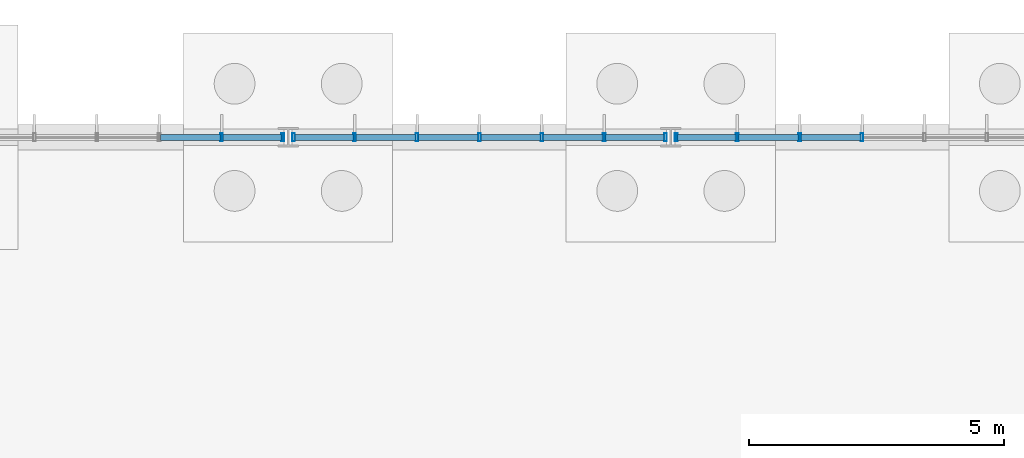
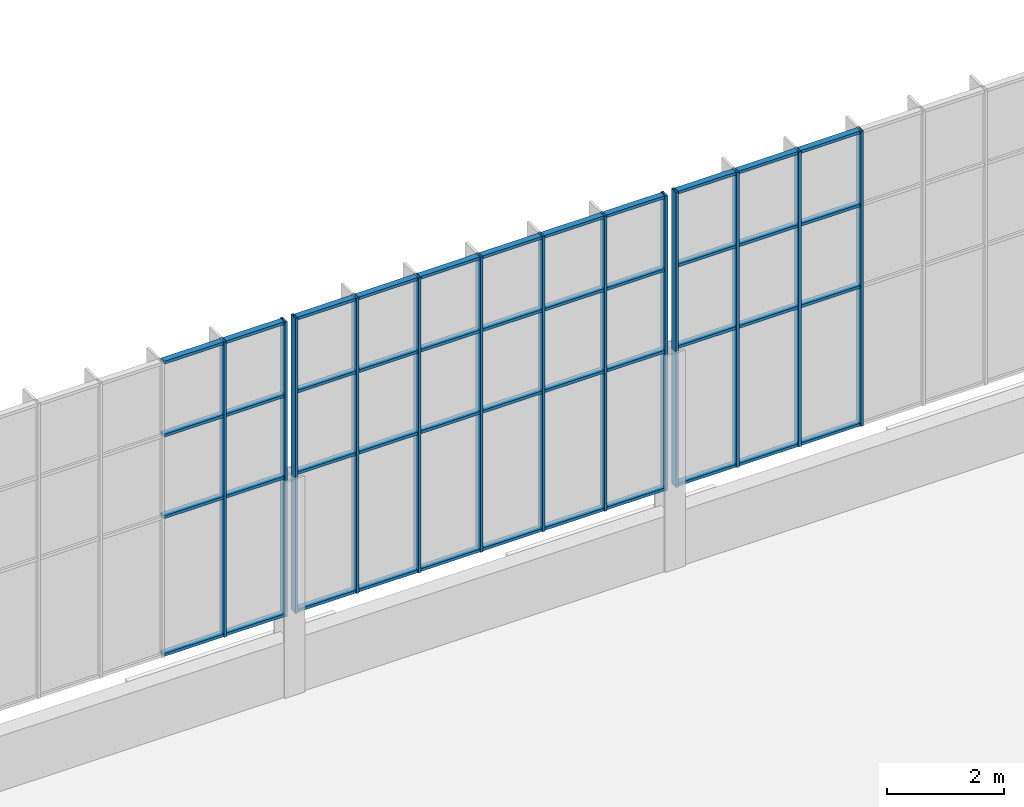
# One storey, part 67 of 136: 57 members, 3 elements without a shape of their own.
"""IFC4 building model written with IfcOpenShell, lengths in metres."""

from ifc_helpers import new_model, si_unit, direction, frame, origin, origin_2d, place, context, subcontext, project, spatial, hollow_rectangle, extrude, material, layer, layer_set, material_profile, profile_set, type_object, element, aggregate, save


model = new_model("IFC4")

# Units and contexts
model_context = context("Model", 3, precision=1e-05, world=origin(), true_north=direction((0.0, 1.0)))
body_context = subcontext(model_context, "Body", "Model", "MODEL_VIEW")
ifc_project = project(units=[si_unit("LENGTHUNIT", "METRE"), si_unit("AREAUNIT", "SQUARE_METRE"), si_unit("VOLUMEUNIT", "CUBIC_METRE"), si_unit("PLANEANGLEUNIT", "RADIAN"), si_unit("MASSUNIT", "GRAM", prefix="KILO")], contexts=[model_context])

# Site, building, storey
site_placement = place(None, origin())
site = spatial("IfcSite", under=ifc_project, at=site_placement, CompositionType="ELEMENT")
building_placement = place(site_placement, origin())
building = spatial("IfcBuilding", under=site, at=building_placement, Name="Solvenia Promenade Tram Depot", CompositionType="ELEMENT")
storey_placement = place(building_placement, origin())
storey = spatial("IfcBuildingStorey", under=building, at=storey_placement, Name="L00", CompositionType="ELEMENT", Elevation=0.0)

# Curtain wall, members
ifc_material = material(Name="Anodized aluminium AW-6063 T6", Category="aluminium")
ifc_layer = layer(ifc_material, 0.159912109375, Name="Anodized aluminium AW-6063 T6", Category="aluminium")
ifc_layer_set = layer_set([ifc_layer], Name="Anodized aluminium AW-6063 T6")
curtain_wall_type = type_object("IfcCurtainWallType", Name="CW-Channel-1200", PredefinedType="NOTDEFINED", material=ifc_layer_set)
curtain_wall_1_placement = place(storey_placement, origin())
curtain_wall_1 = element("IfcCurtainWall", 1, at=curtain_wall_1_placement, inside=storey, type_object=curtain_wall_type, Name="North Translucent Channel-Glass Wall 13", PredefinedType="NOTDEFINED")
ifc_material_profile_1 = material_profile(ifc_material, hollow_rectangle(XDim=0.159912109375, YDim=0.052001953125, WallThickness=0.00390625, at=origin_2d()), Name="ALU-M1", Category="aluminium")
ifc_profile_set_1 = profile_set([ifc_material_profile_1], Name="Anodized aluminium AW-6063 T6")
member_type_1 = type_object("IfcMemberType", Name="CWM-Mullion-1", PredefinedType="MULLION", material=ifc_profile_set_1)
member_1_placement = place(storey_placement, frame((96.19677734375, 126.0, 1.60009765625), z_axis=(0.0, 0.0, 1.0), x_axis=(0.0, 1.0, 0.0)))
member_1 = element("IfcMember", 2, at=member_1_placement, type_object=member_type_1, Name="CW-1 mullion 6", PredefinedType="MULLION", context=body_context, shape_type="SweptSolid", body=[
    extrude(hollow_rectangle(XDim=0.159912109375, YDim=0.052001953125, WallThickness=0.00390625, at=origin_2d()), origin(), (0.0, 0.0, 1.0), 6.14990234375),
])
member_2_placement = place(storey_placement, frame((97.39404296875, 126.0, 1.60009765625), z_axis=(0.0, 0.0, 1.0), x_axis=(0.0, 1.0, 0.0)))
member_2 = element("IfcMember", 3, at=member_2_placement, type_object=member_type_1, Name="CW-1 mullion 7", PredefinedType="MULLION", context=body_context, shape_type="SweptSolid", body=[
    extrude(hollow_rectangle(XDim=0.159912109375, YDim=0.052001953125, WallThickness=0.00390625, at=origin_2d()), origin(), (0.0, 0.0, 1.0), 6.14990234375),
])

curtain_wall_2_placement = place(storey_placement, origin())
curtain_wall_2 = element("IfcCurtainWall", 4, at=curtain_wall_2_placement, inside=storey, type_object=curtain_wall_type, Name="North Translucent Channel-Glass Wall 14", PredefinedType="NOTDEFINED")
member_3_placement = place(storey_placement, frame((97.60595703125, 126.0, 1.60009765625), z_axis=(0.0, 0.0, 1.0), x_axis=(0.0, 1.0, 0.0)))
member_3 = element("IfcMember", 5, at=member_3_placement, type_object=member_type_1, Name="CW-1 mullion 1", PredefinedType="MULLION", context=body_context, shape_type="SweptSolid", body=[
    extrude(hollow_rectangle(XDim=0.159912109375, YDim=0.052001953125, WallThickness=0.00390625, at=origin_2d()), origin(), (0.0, 0.0, 1.0), 6.14990234375),
])
member_4_placement = place(storey_placement, frame((98.80322265625, 126.0, 1.60009765625), z_axis=(0.0, 0.0, 1.0), x_axis=(0.0, 1.0, 0.0)))
member_4 = element("IfcMember", 6, at=member_4_placement, type_object=member_type_1, Name="CW-1 mullion 2", PredefinedType="MULLION", context=body_context, shape_type="SweptSolid", body=[
    extrude(hollow_rectangle(XDim=0.159912109375, YDim=0.052001953125, WallThickness=0.00390625, at=origin_2d()), origin(), (0.0, 0.0, 1.0), 6.14990234375),
])
member_5_placement = place(storey_placement, frame((100.026611328125, 126.0, 1.60009765625), z_axis=(0.0, 0.0, 1.0), x_axis=(0.0, 1.0, 0.0)))
member_5 = element("IfcMember", 7, at=member_5_placement, type_object=member_type_1, Name="CW-1 mullion 3", PredefinedType="MULLION", context=body_context, shape_type="SweptSolid", body=[
    extrude(hollow_rectangle(XDim=0.159912109375, YDim=0.052001953125, WallThickness=0.00390625, at=origin_2d()), origin(), (0.0, 0.0, 1.0), 6.14990234375),
])
member_6_placement = place(storey_placement, frame((101.25, 126.0, 1.60009765625), z_axis=(0.0, 0.0, 1.0), x_axis=(0.0, 1.0, 0.0)))
member_6 = element("IfcMember", 8, at=member_6_placement, type_object=member_type_1, Name="CW-1 mullion 4", PredefinedType="MULLION", context=body_context, shape_type="SweptSolid", body=[
    extrude(hollow_rectangle(XDim=0.159912109375, YDim=0.052001953125, WallThickness=0.00390625, at=origin_2d()), origin(), (0.0, 0.0, 1.0), 6.14990234375),
])
member_7_placement = place(storey_placement, frame((102.473388671875, 126.0, 1.60009765625), z_axis=(0.0, 0.0, 1.0), x_axis=(0.0, 1.0, 0.0)))
member_7 = element("IfcMember", 9, at=member_7_placement, type_object=member_type_1, Name="CW-1 mullion 5", PredefinedType="MULLION", context=body_context, shape_type="SweptSolid", body=[
    extrude(hollow_rectangle(XDim=0.159912109375, YDim=0.052001953125, WallThickness=0.00390625, at=origin_2d()), origin(), (0.0, 0.0, 1.0), 6.14990234375),
])
member_8_placement = place(storey_placement, frame((103.69677734375, 126.0, 1.60009765625), z_axis=(0.0, 0.0, 1.0), x_axis=(0.0, 1.0, 0.0)))
member_8 = element("IfcMember", 10, at=member_8_placement, type_object=member_type_1, Name="CW-1 mullion 6", PredefinedType="MULLION", context=body_context, shape_type="SweptSolid", body=[
    extrude(hollow_rectangle(XDim=0.159912109375, YDim=0.052001953125, WallThickness=0.00390625, at=origin_2d()), origin(), (0.0, 0.0, 1.0), 6.14990234375),
])
member_9_placement = place(storey_placement, frame((104.89404296875, 126.0, 1.60009765625), z_axis=(0.0, 0.0, 1.0), x_axis=(0.0, 1.0, 0.0)))
member_9 = element("IfcMember", 11, at=member_9_placement, type_object=member_type_1, Name="CW-1 mullion 7", PredefinedType="MULLION", context=body_context, shape_type="SweptSolid", body=[
    extrude(hollow_rectangle(XDim=0.159912109375, YDim=0.052001953125, WallThickness=0.00390625, at=origin_2d()), origin(), (0.0, 0.0, 1.0), 6.14990234375),
])

curtain_wall_3_placement = place(storey_placement, origin())
curtain_wall_3 = element("IfcCurtainWall", 12, at=curtain_wall_3_placement, inside=storey, type_object=curtain_wall_type, Name="North Translucent Channel-Glass Wall 15", PredefinedType="NOTDEFINED")
member_10_placement = place(storey_placement, frame((105.10595703125, 126.0, 1.60009765625), z_axis=(0.0, 0.0, 1.0), x_axis=(0.0, 1.0, 0.0)))
member_10 = element("IfcMember", 13, at=member_10_placement, type_object=member_type_1, Name="CW-1 mullion 1", PredefinedType="MULLION", context=body_context, shape_type="SweptSolid", body=[
    extrude(hollow_rectangle(XDim=0.159912109375, YDim=0.052001953125, WallThickness=0.00390625, at=origin_2d()), origin(), (0.0, 0.0, 1.0), 6.14990234375),
])
member_11_placement = place(storey_placement, frame((106.30322265625, 126.0, 1.60009765625), z_axis=(0.0, 0.0, 1.0), x_axis=(0.0, 1.0, 0.0)))
member_11 = element("IfcMember", 14, at=member_11_placement, type_object=member_type_1, Name="CW-1 mullion 2", PredefinedType="MULLION", context=body_context, shape_type="SweptSolid", body=[
    extrude(hollow_rectangle(XDim=0.159912109375, YDim=0.052001953125, WallThickness=0.00390625, at=origin_2d()), origin(), (0.0, 0.0, 1.0), 6.14990234375),
])
member_12_placement = place(storey_placement, frame((107.526611328125, 126.0, 1.60009765625), z_axis=(0.0, 0.0, 1.0), x_axis=(0.0, 1.0, 0.0)))
member_12 = element("IfcMember", 15, at=member_12_placement, type_object=member_type_1, Name="CW-1 mullion 3", PredefinedType="MULLION", context=body_context, shape_type="SweptSolid", body=[
    extrude(hollow_rectangle(XDim=0.159912109375, YDim=0.052001953125, WallThickness=0.00390625, at=origin_2d()), origin(), (0.0, 0.0, 1.0), 6.14990234375),
])
member_13_placement = place(storey_placement, frame((108.75, 126.0, 1.60009765625), z_axis=(0.0, 0.0, 1.0), x_axis=(0.0, 1.0, 0.0)))
member_13 = element("IfcMember", 16, at=member_13_placement, type_object=member_type_1, Name="CW-1 mullion 4", PredefinedType="MULLION", context=body_context, shape_type="SweptSolid", body=[
    extrude(hollow_rectangle(XDim=0.159912109375, YDim=0.052001953125, WallThickness=0.00390625, at=origin_2d()), origin(), (0.0, 0.0, 1.0), 6.14990234375),
])

# Member
ifc_material_profile_2 = material_profile(ifc_material, hollow_rectangle(XDim=0.1201171875, YDim=0.06005859375, WallThickness=0.00390625, at=origin_2d()), Name="ALU-T1", Category="aluminium")
ifc_profile_set_2 = profile_set([ifc_material_profile_2], Name="Anodized aluminium AW-6063 T6")
member_type_2 = type_object("IfcMemberType", Name="CWT-Transom-1", PredefinedType="USERDEFINED", material=ifc_profile_set_2)
member_14_placement = place(storey_placement, frame((94.999267578125, 126.0, 1.6298828125), z_axis=(1.0, 0.0, 0.0), x_axis=(0.0, 1.0, 0.0)))
member_14 = element("IfcMember", 17, at=member_14_placement, type_object=member_type_2, Name="CW-1 transom 5.1", ObjectType="TRANSOM", PredefinedType="USERDEFINED", context=body_context, shape_type="SweptSolid", body=[
    extrude(hollow_rectangle(XDim=0.1201171875, YDim=0.06005859375, WallThickness=0.00390625, at=origin_2d()), origin(), (0.0, 0.0, 1.0), 1.17138671875),
])

member_15_placement = place(storey_placement, frame((94.999267578125, 126.0, 4.5), z_axis=(1.0, 0.0, 0.0), x_axis=(0.0, 1.0, 0.0)))
member_15 = element("IfcMember", 18, at=member_15_placement, type_object=member_type_2, Name="CW-1 transom 5.2", ObjectType="TRANSOM", PredefinedType="USERDEFINED", context=body_context, shape_type="SweptSolid", body=[
    extrude(hollow_rectangle(XDim=0.1201171875, YDim=0.06005859375, WallThickness=0.00390625, at=origin_2d()), origin(), (0.0, 0.0, 1.0), 1.17138671875),
])

member_16_placement = place(storey_placement, frame((94.999267578125, 126.0, 6.199951171875), z_axis=(1.0, 0.0, 0.0), x_axis=(0.0, 1.0, 0.0)))
member_16 = element("IfcMember", 19, at=member_16_placement, type_object=member_type_2, Name="CW-1 transom 5.3", ObjectType="TRANSOM", PredefinedType="USERDEFINED", context=body_context, shape_type="SweptSolid", body=[
    extrude(hollow_rectangle(XDim=0.1201171875, YDim=0.06005859375, WallThickness=0.00390625, at=origin_2d()), origin(), (0.0, 0.0, 1.0), 1.17138671875),
])

member_17_placement = place(storey_placement, frame((94.999267578125, 126.0, 7.719970703125), z_axis=(1.0, 0.0, 0.0), x_axis=(0.0, 1.0, 0.0)))
member_17 = element("IfcMember", 20, at=member_17_placement, type_object=member_type_2, Name="CW-1 transom 5.4", ObjectType="TRANSOM", PredefinedType="USERDEFINED", context=body_context, shape_type="SweptSolid", body=[
    extrude(hollow_rectangle(XDim=0.1201171875, YDim=0.06005859375, WallThickness=0.00390625, at=origin_2d()), origin(), (0.0, 0.0, 1.0), 1.17138671875),
])

member_18_placement = place(storey_placement, frame((96.22265625, 126.0, 1.6298828125), z_axis=(1.0, 0.0, 0.0), x_axis=(0.0, 1.0, 0.0)))
member_18 = element("IfcMember", 21, at=member_18_placement, type_object=member_type_2, Name="CW-1 transom 6.1", ObjectType="TRANSOM", PredefinedType="USERDEFINED", context=body_context, shape_type="SweptSolid", body=[
    extrude(hollow_rectangle(XDim=0.1201171875, YDim=0.06005859375, WallThickness=0.00390625, at=origin_2d()), origin(), (0.0, 0.0, 1.0), 1.145263671875),
])

member_19_placement = place(storey_placement, frame((96.22265625, 126.0, 4.5), z_axis=(1.0, 0.0, 0.0), x_axis=(0.0, 1.0, 0.0)))
member_19 = element("IfcMember", 22, at=member_19_placement, type_object=member_type_2, Name="CW-1 transom 6.2", ObjectType="TRANSOM", PredefinedType="USERDEFINED", context=body_context, shape_type="SweptSolid", body=[
    extrude(hollow_rectangle(XDim=0.1201171875, YDim=0.06005859375, WallThickness=0.00390625, at=origin_2d()), origin(), (0.0, 0.0, 1.0), 1.145263671875),
])

member_20_placement = place(storey_placement, frame((96.22265625, 126.0, 6.199951171875), z_axis=(1.0, 0.0, 0.0), x_axis=(0.0, 1.0, 0.0)))
member_20 = element("IfcMember", 23, at=member_20_placement, type_object=member_type_2, Name="CW-1 transom 6.3", ObjectType="TRANSOM", PredefinedType="USERDEFINED", context=body_context, shape_type="SweptSolid", body=[
    extrude(hollow_rectangle(XDim=0.1201171875, YDim=0.06005859375, WallThickness=0.00390625, at=origin_2d()), origin(), (0.0, 0.0, 1.0), 1.145263671875),
])

member_21_placement = place(storey_placement, frame((96.22265625, 126.0, 7.719970703125), z_axis=(1.0, 0.0, 0.0), x_axis=(0.0, 1.0, 0.0)))
member_21 = element("IfcMember", 24, at=member_21_placement, type_object=member_type_2, Name="CW-1 transom 6.4", ObjectType="TRANSOM", PredefinedType="USERDEFINED", context=body_context, shape_type="SweptSolid", body=[
    extrude(hollow_rectangle(XDim=0.1201171875, YDim=0.06005859375, WallThickness=0.00390625, at=origin_2d()), origin(), (0.0, 0.0, 1.0), 1.145263671875),
])

aggregate(curtain_wall_1, [member_1, member_2, member_14, member_15, member_16, member_17, member_18, member_19, member_20, member_21])

member_22_placement = place(storey_placement, frame((97.632080078125, 126.0, 1.6298828125), z_axis=(1.0, 0.0, 0.0), x_axis=(0.0, 1.0, 0.0)))
member_22 = element("IfcMember", 25, at=member_22_placement, type_object=member_type_2, Name="CW-1 transom 1.1", ObjectType="TRANSOM", PredefinedType="USERDEFINED", context=body_context, shape_type="SweptSolid", body=[
    extrude(hollow_rectangle(XDim=0.1201171875, YDim=0.06005859375, WallThickness=0.00390625, at=origin_2d()), origin(), (0.0, 0.0, 1.0), 1.145263671875),
])

member_23_placement = place(storey_placement, frame((97.632080078125, 126.0, 4.5), z_axis=(1.0, 0.0, 0.0), x_axis=(0.0, 1.0, 0.0)))
member_23 = element("IfcMember", 26, at=member_23_placement, type_object=member_type_2, Name="CW-1 transom 1.2", ObjectType="TRANSOM", PredefinedType="USERDEFINED", context=body_context, shape_type="SweptSolid", body=[
    extrude(hollow_rectangle(XDim=0.1201171875, YDim=0.06005859375, WallThickness=0.00390625, at=origin_2d()), origin(), (0.0, 0.0, 1.0), 1.145263671875),
])

member_24_placement = place(storey_placement, frame((97.632080078125, 126.0, 6.199951171875), z_axis=(1.0, 0.0, 0.0), x_axis=(0.0, 1.0, 0.0)))
member_24 = element("IfcMember", 27, at=member_24_placement, type_object=member_type_2, Name="CW-1 transom 1.3", ObjectType="TRANSOM", PredefinedType="USERDEFINED", context=body_context, shape_type="SweptSolid", body=[
    extrude(hollow_rectangle(XDim=0.1201171875, YDim=0.06005859375, WallThickness=0.00390625, at=origin_2d()), origin(), (0.0, 0.0, 1.0), 1.145263671875),
])

member_25_placement = place(storey_placement, frame((97.632080078125, 126.0, 7.719970703125), z_axis=(1.0, 0.0, 0.0), x_axis=(0.0, 1.0, 0.0)))
member_25 = element("IfcMember", 28, at=member_25_placement, type_object=member_type_2, Name="CW-1 transom 1.4", ObjectType="TRANSOM", PredefinedType="USERDEFINED", context=body_context, shape_type="SweptSolid", body=[
    extrude(hollow_rectangle(XDim=0.1201171875, YDim=0.06005859375, WallThickness=0.00390625, at=origin_2d()), origin(), (0.0, 0.0, 1.0), 1.145263671875),
])

member_26_placement = place(storey_placement, frame((98.829345703125, 126.0, 1.6298828125), z_axis=(1.0, 0.0, 0.0), x_axis=(0.0, 1.0, 0.0)))
member_26 = element("IfcMember", 29, at=member_26_placement, type_object=member_type_2, Name="CW-1 transom 2.1", ObjectType="TRANSOM", PredefinedType="USERDEFINED", context=body_context, shape_type="SweptSolid", body=[
    extrude(hollow_rectangle(XDim=0.1201171875, YDim=0.06005859375, WallThickness=0.00390625, at=origin_2d()), origin(), (0.0, 0.0, 1.0), 1.17138671875),
])

member_27_placement = place(storey_placement, frame((98.829345703125, 126.0, 4.5), z_axis=(1.0, 0.0, 0.0), x_axis=(0.0, 1.0, 0.0)))
member_27 = element("IfcMember", 30, at=member_27_placement, type_object=member_type_2, Name="CW-1 transom 2.2", ObjectType="TRANSOM", PredefinedType="USERDEFINED", context=body_context, shape_type="SweptSolid", body=[
    extrude(hollow_rectangle(XDim=0.1201171875, YDim=0.06005859375, WallThickness=0.00390625, at=origin_2d()), origin(), (0.0, 0.0, 1.0), 1.17138671875),
])

member_28_placement = place(storey_placement, frame((98.829345703125, 126.0, 6.199951171875), z_axis=(1.0, 0.0, 0.0), x_axis=(0.0, 1.0, 0.0)))
member_28 = element("IfcMember", 31, at=member_28_placement, type_object=member_type_2, Name="CW-1 transom 2.3", ObjectType="TRANSOM", PredefinedType="USERDEFINED", context=body_context, shape_type="SweptSolid", body=[
    extrude(hollow_rectangle(XDim=0.1201171875, YDim=0.06005859375, WallThickness=0.00390625, at=origin_2d()), origin(), (0.0, 0.0, 1.0), 1.17138671875),
])

member_29_placement = place(storey_placement, frame((98.829345703125, 126.0, 7.719970703125), z_axis=(1.0, 0.0, 0.0), x_axis=(0.0, 1.0, 0.0)))
member_29 = element("IfcMember", 32, at=member_29_placement, type_object=member_type_2, Name="CW-1 transom 2.4", ObjectType="TRANSOM", PredefinedType="USERDEFINED", context=body_context, shape_type="SweptSolid", body=[
    extrude(hollow_rectangle(XDim=0.1201171875, YDim=0.06005859375, WallThickness=0.00390625, at=origin_2d()), origin(), (0.0, 0.0, 1.0), 1.17138671875),
])

member_30_placement = place(storey_placement, frame((100.052734375, 126.0, 1.6298828125), z_axis=(1.0, 0.0, 0.0), x_axis=(0.0, 1.0, 0.0)))
member_30 = element("IfcMember", 33, at=member_30_placement, type_object=member_type_2, Name="CW-1 transom 3.1", ObjectType="TRANSOM", PredefinedType="USERDEFINED", context=body_context, shape_type="SweptSolid", body=[
    extrude(hollow_rectangle(XDim=0.1201171875, YDim=0.06005859375, WallThickness=0.00390625, at=origin_2d()), origin(), (0.0, 0.0, 1.0), 1.17138671875),
])

member_31_placement = place(storey_placement, frame((100.052734375, 126.0, 4.5), z_axis=(1.0, 0.0, 0.0), x_axis=(0.0, 1.0, 0.0)))
member_31 = element("IfcMember", 34, at=member_31_placement, type_object=member_type_2, Name="CW-1 transom 3.2", ObjectType="TRANSOM", PredefinedType="USERDEFINED", context=body_context, shape_type="SweptSolid", body=[
    extrude(hollow_rectangle(XDim=0.1201171875, YDim=0.06005859375, WallThickness=0.00390625, at=origin_2d()), origin(), (0.0, 0.0, 1.0), 1.17138671875),
])

member_32_placement = place(storey_placement, frame((100.052734375, 126.0, 6.199951171875), z_axis=(1.0, 0.0, 0.0), x_axis=(0.0, 1.0, 0.0)))
member_32 = element("IfcMember", 35, at=member_32_placement, type_object=member_type_2, Name="CW-1 transom 3.3", ObjectType="TRANSOM", PredefinedType="USERDEFINED", context=body_context, shape_type="SweptSolid", body=[
    extrude(hollow_rectangle(XDim=0.1201171875, YDim=0.06005859375, WallThickness=0.00390625, at=origin_2d()), origin(), (0.0, 0.0, 1.0), 1.17138671875),
])

member_33_placement = place(storey_placement, frame((100.052734375, 126.0, 7.719970703125), z_axis=(1.0, 0.0, 0.0), x_axis=(0.0, 1.0, 0.0)))
member_33 = element("IfcMember", 36, at=member_33_placement, type_object=member_type_2, Name="CW-1 transom 3.4", ObjectType="TRANSOM", PredefinedType="USERDEFINED", context=body_context, shape_type="SweptSolid", body=[
    extrude(hollow_rectangle(XDim=0.1201171875, YDim=0.06005859375, WallThickness=0.00390625, at=origin_2d()), origin(), (0.0, 0.0, 1.0), 1.17138671875),
])

member_34_placement = place(storey_placement, frame((101.27587890625, 126.0, 1.6298828125), z_axis=(1.0, 0.0, 0.0), x_axis=(0.0, 1.0, 0.0)))
member_34 = element("IfcMember", 37, at=member_34_placement, type_object=member_type_2, Name="CW-1 transom 4.1", ObjectType="TRANSOM", PredefinedType="USERDEFINED", context=body_context, shape_type="SweptSolid", body=[
    extrude(hollow_rectangle(XDim=0.1201171875, YDim=0.06005859375, WallThickness=0.00390625, at=origin_2d()), origin(), (0.0, 0.0, 1.0), 1.17138671875),
])

member_35_placement = place(storey_placement, frame((101.27587890625, 126.0, 4.5), z_axis=(1.0, 0.0, 0.0), x_axis=(0.0, 1.0, 0.0)))
member_35 = element("IfcMember", 38, at=member_35_placement, type_object=member_type_2, Name="CW-1 transom 4.2", ObjectType="TRANSOM", PredefinedType="USERDEFINED", context=body_context, shape_type="SweptSolid", body=[
    extrude(hollow_rectangle(XDim=0.1201171875, YDim=0.06005859375, WallThickness=0.00390625, at=origin_2d()), origin(), (0.0, 0.0, 1.0), 1.17138671875),
])

member_36_placement = place(storey_placement, frame((101.27587890625, 126.0, 6.199951171875), z_axis=(1.0, 0.0, 0.0), x_axis=(0.0, 1.0, 0.0)))
member_36 = element("IfcMember", 39, at=member_36_placement, type_object=member_type_2, Name="CW-1 transom 4.3", ObjectType="TRANSOM", PredefinedType="USERDEFINED", context=body_context, shape_type="SweptSolid", body=[
    extrude(hollow_rectangle(XDim=0.1201171875, YDim=0.06005859375, WallThickness=0.00390625, at=origin_2d()), origin(), (0.0, 0.0, 1.0), 1.17138671875),
])

member_37_placement = place(storey_placement, frame((101.27587890625, 126.0, 7.719970703125), z_axis=(1.0, 0.0, 0.0), x_axis=(0.0, 1.0, 0.0)))
member_37 = element("IfcMember", 40, at=member_37_placement, type_object=member_type_2, Name="CW-1 transom 4.4", ObjectType="TRANSOM", PredefinedType="USERDEFINED", context=body_context, shape_type="SweptSolid", body=[
    extrude(hollow_rectangle(XDim=0.1201171875, YDim=0.06005859375, WallThickness=0.00390625, at=origin_2d()), origin(), (0.0, 0.0, 1.0), 1.17138671875),
])

member_38_placement = place(storey_placement, frame((102.499267578125, 126.0, 1.6298828125), z_axis=(1.0, 0.0, 0.0), x_axis=(0.0, 1.0, 0.0)))
member_38 = element("IfcMember", 41, at=member_38_placement, type_object=member_type_2, Name="CW-1 transom 5.1", ObjectType="TRANSOM", PredefinedType="USERDEFINED", context=body_context, shape_type="SweptSolid", body=[
    extrude(hollow_rectangle(XDim=0.1201171875, YDim=0.06005859375, WallThickness=0.00390625, at=origin_2d()), origin(), (0.0, 0.0, 1.0), 1.17138671875),
])

member_39_placement = place(storey_placement, frame((102.499267578125, 126.0, 4.5), z_axis=(1.0, 0.0, 0.0), x_axis=(0.0, 1.0, 0.0)))
member_39 = element("IfcMember", 42, at=member_39_placement, type_object=member_type_2, Name="CW-1 transom 5.2", ObjectType="TRANSOM", PredefinedType="USERDEFINED", context=body_context, shape_type="SweptSolid", body=[
    extrude(hollow_rectangle(XDim=0.1201171875, YDim=0.06005859375, WallThickness=0.00390625, at=origin_2d()), origin(), (0.0, 0.0, 1.0), 1.17138671875),
])

member_40_placement = place(storey_placement, frame((102.499267578125, 126.0, 6.199951171875), z_axis=(1.0, 0.0, 0.0), x_axis=(0.0, 1.0, 0.0)))
member_40 = element("IfcMember", 43, at=member_40_placement, type_object=member_type_2, Name="CW-1 transom 5.3", ObjectType="TRANSOM", PredefinedType="USERDEFINED", context=body_context, shape_type="SweptSolid", body=[
    extrude(hollow_rectangle(XDim=0.1201171875, YDim=0.06005859375, WallThickness=0.00390625, at=origin_2d()), origin(), (0.0, 0.0, 1.0), 1.17138671875),
])

member_41_placement = place(storey_placement, frame((102.499267578125, 126.0, 7.719970703125), z_axis=(1.0, 0.0, 0.0), x_axis=(0.0, 1.0, 0.0)))
member_41 = element("IfcMember", 44, at=member_41_placement, type_object=member_type_2, Name="CW-1 transom 5.4", ObjectType="TRANSOM", PredefinedType="USERDEFINED", context=body_context, shape_type="SweptSolid", body=[
    extrude(hollow_rectangle(XDim=0.1201171875, YDim=0.06005859375, WallThickness=0.00390625, at=origin_2d()), origin(), (0.0, 0.0, 1.0), 1.17138671875),
])

member_42_placement = place(storey_placement, frame((103.72265625, 126.0, 1.6298828125), z_axis=(1.0, 0.0, 0.0), x_axis=(0.0, 1.0, 0.0)))
member_42 = element("IfcMember", 45, at=member_42_placement, type_object=member_type_2, Name="CW-1 transom 6.1", ObjectType="TRANSOM", PredefinedType="USERDEFINED", context=body_context, shape_type="SweptSolid", body=[
    extrude(hollow_rectangle(XDim=0.1201171875, YDim=0.06005859375, WallThickness=0.00390625, at=origin_2d()), origin(), (0.0, 0.0, 1.0), 1.145263671875),
])

member_43_placement = place(storey_placement, frame((103.72265625, 126.0, 4.5), z_axis=(1.0, 0.0, 0.0), x_axis=(0.0, 1.0, 0.0)))
member_43 = element("IfcMember", 46, at=member_43_placement, type_object=member_type_2, Name="CW-1 transom 6.2", ObjectType="TRANSOM", PredefinedType="USERDEFINED", context=body_context, shape_type="SweptSolid", body=[
    extrude(hollow_rectangle(XDim=0.1201171875, YDim=0.06005859375, WallThickness=0.00390625, at=origin_2d()), origin(), (0.0, 0.0, 1.0), 1.145263671875),
])

member_44_placement = place(storey_placement, frame((103.72265625, 126.0, 6.199951171875), z_axis=(1.0, 0.0, 0.0), x_axis=(0.0, 1.0, 0.0)))
member_44 = element("IfcMember", 47, at=member_44_placement, type_object=member_type_2, Name="CW-1 transom 6.3", ObjectType="TRANSOM", PredefinedType="USERDEFINED", context=body_context, shape_type="SweptSolid", body=[
    extrude(hollow_rectangle(XDim=0.1201171875, YDim=0.06005859375, WallThickness=0.00390625, at=origin_2d()), origin(), (0.0, 0.0, 1.0), 1.145263671875),
])

member_45_placement = place(storey_placement, frame((103.72265625, 126.0, 7.719970703125), z_axis=(1.0, 0.0, 0.0), x_axis=(0.0, 1.0, 0.0)))
member_45 = element("IfcMember", 48, at=member_45_placement, type_object=member_type_2, Name="CW-1 transom 6.4", ObjectType="TRANSOM", PredefinedType="USERDEFINED", context=body_context, shape_type="SweptSolid", body=[
    extrude(hollow_rectangle(XDim=0.1201171875, YDim=0.06005859375, WallThickness=0.00390625, at=origin_2d()), origin(), (0.0, 0.0, 1.0), 1.145263671875),
])

aggregate(curtain_wall_2, [member_3, member_4, member_5, member_6, member_7, member_8, member_9, member_22, member_23, member_24, member_25, member_26, member_27, member_28, member_29, member_30, member_31, member_32, member_33, member_34, member_35, member_36, member_37, member_38, member_39, member_40, member_41, member_42, member_43, member_44, member_45])

member_46_placement = place(storey_placement, frame((105.132080078125, 126.0, 1.6298828125), z_axis=(1.0, 0.0, 0.0), x_axis=(0.0, 1.0, 0.0)))
member_46 = element("IfcMember", 49, at=member_46_placement, type_object=member_type_2, Name="CW-1 transom 1.1", ObjectType="TRANSOM", PredefinedType="USERDEFINED", context=body_context, shape_type="SweptSolid", body=[
    extrude(hollow_rectangle(XDim=0.1201171875, YDim=0.06005859375, WallThickness=0.00390625, at=origin_2d()), origin(), (0.0, 0.0, 1.0), 1.145263671875),
])

member_47_placement = place(storey_placement, frame((105.132080078125, 126.0, 4.5), z_axis=(1.0, 0.0, 0.0), x_axis=(0.0, 1.0, 0.0)))
member_47 = element("IfcMember", 50, at=member_47_placement, type_object=member_type_2, Name="CW-1 transom 1.2", ObjectType="TRANSOM", PredefinedType="USERDEFINED", context=body_context, shape_type="SweptSolid", body=[
    extrude(hollow_rectangle(XDim=0.1201171875, YDim=0.06005859375, WallThickness=0.00390625, at=origin_2d()), origin(), (0.0, 0.0, 1.0), 1.145263671875),
])

member_48_placement = place(storey_placement, frame((105.132080078125, 126.0, 6.199951171875), z_axis=(1.0, 0.0, 0.0), x_axis=(0.0, 1.0, 0.0)))
member_48 = element("IfcMember", 51, at=member_48_placement, type_object=member_type_2, Name="CW-1 transom 1.3", ObjectType="TRANSOM", PredefinedType="USERDEFINED", context=body_context, shape_type="SweptSolid", body=[
    extrude(hollow_rectangle(XDim=0.1201171875, YDim=0.06005859375, WallThickness=0.00390625, at=origin_2d()), origin(), (0.0, 0.0, 1.0), 1.145263671875),
])

member_49_placement = place(storey_placement, frame((105.132080078125, 126.0, 7.719970703125), z_axis=(1.0, 0.0, 0.0), x_axis=(0.0, 1.0, 0.0)))
member_49 = element("IfcMember", 52, at=member_49_placement, type_object=member_type_2, Name="CW-1 transom 1.4", ObjectType="TRANSOM", PredefinedType="USERDEFINED", context=body_context, shape_type="SweptSolid", body=[
    extrude(hollow_rectangle(XDim=0.1201171875, YDim=0.06005859375, WallThickness=0.00390625, at=origin_2d()), origin(), (0.0, 0.0, 1.0), 1.145263671875),
])

member_50_placement = place(storey_placement, frame((106.329345703125, 126.0, 1.6298828125), z_axis=(1.0, 0.0, 0.0), x_axis=(0.0, 1.0, 0.0)))
member_50 = element("IfcMember", 53, at=member_50_placement, type_object=member_type_2, Name="CW-1 transom 2.1", ObjectType="TRANSOM", PredefinedType="USERDEFINED", context=body_context, shape_type="SweptSolid", body=[
    extrude(hollow_rectangle(XDim=0.1201171875, YDim=0.06005859375, WallThickness=0.00390625, at=origin_2d()), origin(), (0.0, 0.0, 1.0), 1.17138671875),
])

member_51_placement = place(storey_placement, frame((106.329345703125, 126.0, 4.5), z_axis=(1.0, 0.0, 0.0), x_axis=(0.0, 1.0, 0.0)))
member_51 = element("IfcMember", 54, at=member_51_placement, type_object=member_type_2, Name="CW-1 transom 2.2", ObjectType="TRANSOM", PredefinedType="USERDEFINED", context=body_context, shape_type="SweptSolid", body=[
    extrude(hollow_rectangle(XDim=0.1201171875, YDim=0.06005859375, WallThickness=0.00390625, at=origin_2d()), origin(), (0.0, 0.0, 1.0), 1.17138671875),
])

member_52_placement = place(storey_placement, frame((106.329345703125, 126.0, 6.199951171875), z_axis=(1.0, 0.0, 0.0), x_axis=(0.0, 1.0, 0.0)))
member_52 = element("IfcMember", 55, at=member_52_placement, type_object=member_type_2, Name="CW-1 transom 2.3", ObjectType="TRANSOM", PredefinedType="USERDEFINED", context=body_context, shape_type="SweptSolid", body=[
    extrude(hollow_rectangle(XDim=0.1201171875, YDim=0.06005859375, WallThickness=0.00390625, at=origin_2d()), origin(), (0.0, 0.0, 1.0), 1.17138671875),
])

member_53_placement = place(storey_placement, frame((106.329345703125, 126.0, 7.719970703125), z_axis=(1.0, 0.0, 0.0), x_axis=(0.0, 1.0, 0.0)))
member_53 = element("IfcMember", 56, at=member_53_placement, type_object=member_type_2, Name="CW-1 transom 2.4", ObjectType="TRANSOM", PredefinedType="USERDEFINED", context=body_context, shape_type="SweptSolid", body=[
    extrude(hollow_rectangle(XDim=0.1201171875, YDim=0.06005859375, WallThickness=0.00390625, at=origin_2d()), origin(), (0.0, 0.0, 1.0), 1.17138671875),
])

member_54_placement = place(storey_placement, frame((107.552734375, 126.0, 1.6298828125), z_axis=(1.0, 0.0, 0.0), x_axis=(0.0, 1.0, 0.0)))
member_54 = element("IfcMember", 57, at=member_54_placement, type_object=member_type_2, Name="CW-1 transom 3.1", ObjectType="TRANSOM", PredefinedType="USERDEFINED", context=body_context, shape_type="SweptSolid", body=[
    extrude(hollow_rectangle(XDim=0.1201171875, YDim=0.06005859375, WallThickness=0.00390625, at=origin_2d()), origin(), (0.0, 0.0, 1.0), 1.17138671875),
])

member_55_placement = place(storey_placement, frame((107.552734375, 126.0, 4.5), z_axis=(1.0, 0.0, 0.0), x_axis=(0.0, 1.0, 0.0)))
member_55 = element("IfcMember", 58, at=member_55_placement, type_object=member_type_2, Name="CW-1 transom 3.2", ObjectType="TRANSOM", PredefinedType="USERDEFINED", context=body_context, shape_type="SweptSolid", body=[
    extrude(hollow_rectangle(XDim=0.1201171875, YDim=0.06005859375, WallThickness=0.00390625, at=origin_2d()), origin(), (0.0, 0.0, 1.0), 1.17138671875),
])

member_56_placement = place(storey_placement, frame((107.552734375, 126.0, 6.199951171875), z_axis=(1.0, 0.0, 0.0), x_axis=(0.0, 1.0, 0.0)))
member_56 = element("IfcMember", 59, at=member_56_placement, type_object=member_type_2, Name="CW-1 transom 3.3", ObjectType="TRANSOM", PredefinedType="USERDEFINED", context=body_context, shape_type="SweptSolid", body=[
    extrude(hollow_rectangle(XDim=0.1201171875, YDim=0.06005859375, WallThickness=0.00390625, at=origin_2d()), origin(), (0.0, 0.0, 1.0), 1.17138671875),
])

member_57_placement = place(storey_placement, frame((107.552734375, 126.0, 7.719970703125), z_axis=(1.0, 0.0, 0.0), x_axis=(0.0, 1.0, 0.0)))
member_57 = element("IfcMember", 60, at=member_57_placement, type_object=member_type_2, Name="CW-1 transom 3.4", ObjectType="TRANSOM", PredefinedType="USERDEFINED", context=body_context, shape_type="SweptSolid", body=[
    extrude(hollow_rectangle(XDim=0.1201171875, YDim=0.06005859375, WallThickness=0.00390625, at=origin_2d()), origin(), (0.0, 0.0, 1.0), 1.17138671875),
])

aggregate(curtain_wall_3, [member_10, member_11, member_12, member_13, member_46, member_47, member_48, member_49, member_50, member_51, member_52, member_53, member_54, member_55, member_56, member_57])

save(model, "model.ifc")
